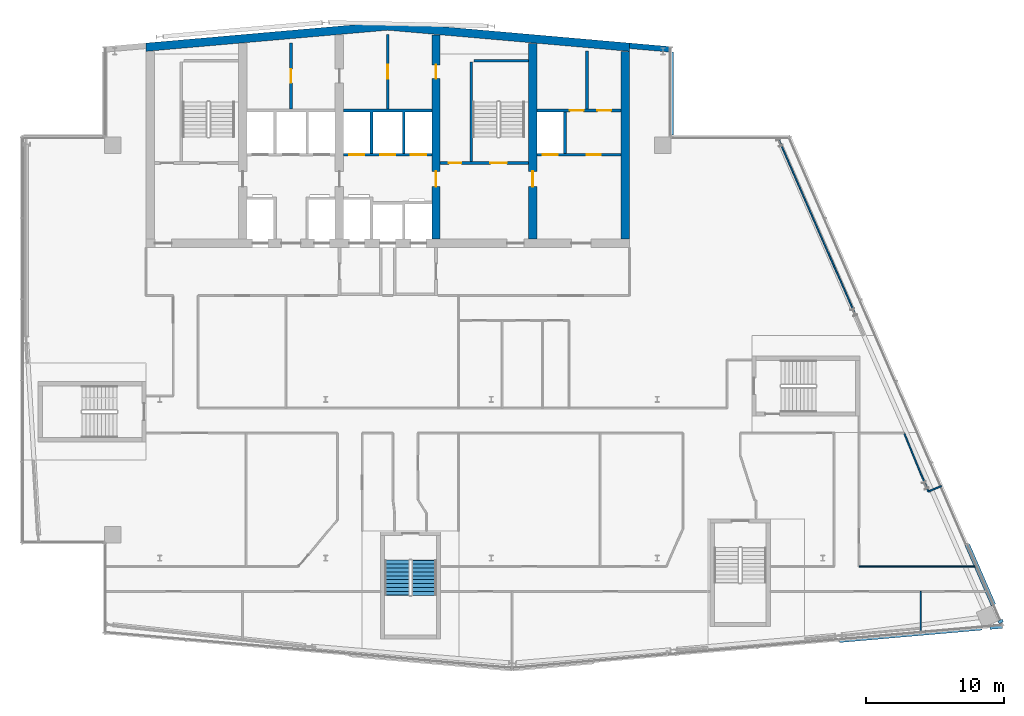
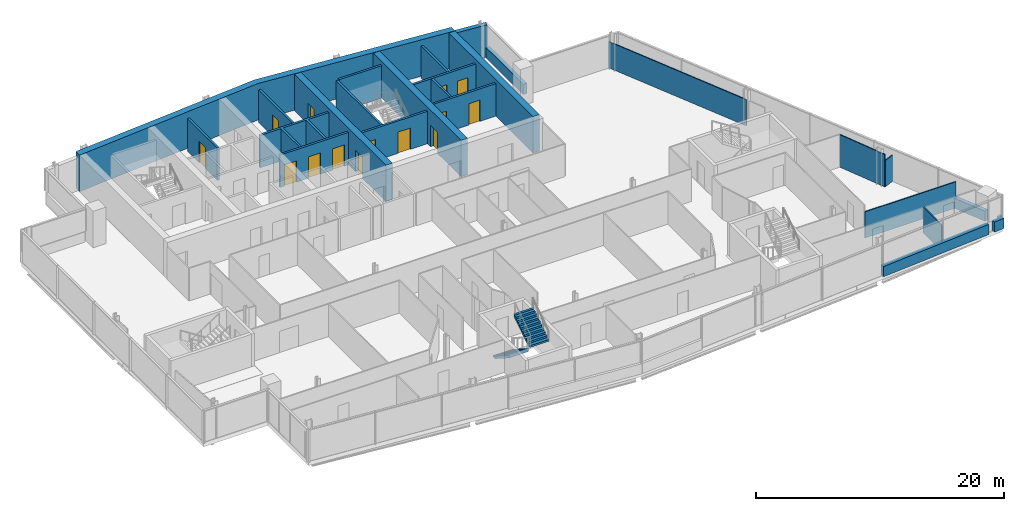
# One storey, part 18 of 22: 26 walls, 14 doors, 2 stair flights, 14 openings, 1 element without a shape of its own.
"""IFC4 building model written with IfcOpenShell, lengths in metres."""

from ifc_helpers import new_model, si_unit, direction, frame, frame_2d, origin, place, context, subcontext, project, spatial, polyline, rectangle, outline, extrude, material, layer, layer_set, type_object, element, fill, aggregate, save


model = new_model("IFC4")

# Units and contexts
model_context = context("Model", 3, precision=1e-05, world=origin(), true_north=direction((0.0, 1.0)))
body_context = subcontext(model_context, "Body", "Model", "MODEL_VIEW")
ifc_project = project(units=[si_unit("LENGTHUNIT", "METRE"), si_unit("AREAUNIT", "SQUARE_METRE"), si_unit("VOLUMEUNIT", "CUBIC_METRE"), si_unit("PLANEANGLEUNIT", "RADIAN"), si_unit("MASSUNIT", "GRAM", prefix="KILO")], contexts=[model_context])

# Site, building, storey
site_placement = place(None, origin())
site = spatial("IfcSite", under=ifc_project, at=site_placement, CompositionType="ELEMENT")
building_placement = place(site_placement, origin())
building = spatial("IfcBuilding", under=site, at=building_placement, Name="Wharfspan Tower", CompositionType="ELEMENT")
storey_placement = place(building_placement, frame((0.0, 0.0, 246.699951)))
storey = spatial("IfcBuildingStorey", under=building, at=storey_placement, Name="L62", CompositionType="ELEMENT", Elevation=246.699951)

# Walls
ifc_material_1 = material(Name="Gypsum board on steel studs", Category="steel")
ifc_layer_1 = layer(ifc_material_1, 0.100098)
ifc_layer_set_1 = layer_set([ifc_layer_1], Name="Gypsum board on steel studs")
wall_type_1 = type_object("IfcWallType", Name="Compartment wall 100 EI 60", PredefinedType="PARTITIONING", material=ifc_layer_set_1)
wall_1_placement = place(storey_placement, frame((74.620117, 10.89502, 0.0), z_axis=(0.0, 0.0, 1.0), x_axis=(1.0, 0.0, 0.0)))
element("IfcWall", 1, at=wall_1_placement, inside=storey, type_object=wall_type_1, Name="Partition L62.w062", PredefinedType="PARTITIONING", context=body_context, shape_type="SweptSolid", body=[
    extrude(rectangle(XDim=8.490723, YDim=0.100098, at=frame_2d((4.245361, 0.0))), origin(), (0.0, 0.0, 1.0), 2.580078),
])
wall_2_placement = place(storey_placement, frame((79.084961, 6.120117, 0.0), z_axis=(0.0, 0.0, 1.0), x_axis=(0.0, 1.0, 0.0)))
element("IfcWall", 2, at=wall_2_placement, inside=storey, type_object=wall_type_1, Name="Partition L62.w066", PredefinedType="PARTITIONING", context=body_context, shape_type="SweptSolid", body=[
    extrude(rectangle(XDim=2.974854, YDim=0.100098, at=frame_2d((1.487305, 0.0))), origin(), (0.0, 0.0, 1.0), 2.580078),
])
wall_3_placement = place(storey_placement, frame((79.629883, 16.314941, 0.0), z_axis=(0.0, 0.0, 1.0), x_axis=(-0.381517, 0.924359, 0.0)))
element("IfcWall", 3, at=wall_3_placement, inside=storey, type_object=wall_type_1, Name="Partition L62.w068", PredefinedType="PARTITIONING", context=body_context, shape_type="SweptSolid", body=[
    extrude(rectangle(XDim=4.586914, YDim=0.100098, at=frame_2d((2.293457, 0.0))), origin(), (0.0, 0.0, 1.0), 3.199951),
])

# Wall, opening, door
ifc_material_2 = material(Name="Calcium silicate masonry", Category="masonry")
ifc_layer_2 = layer(ifc_material_2, 0.199951)
ifc_layer_set_2 = layer_set([ifc_layer_2], Name="Calcium silicate masonry")
wall_type_2 = type_object("IfcWallType", Name="Core room wall 200", PredefinedType="PARTITIONING", material=ifc_layer_set_2)
wall_4_placement = place(storey_placement, frame((33.5, 44.0, 0.0), z_axis=(0.0, 0.0, 1.0), x_axis=(0.0, 1.0, 0.0)))
wall_4 = element("IfcWall", 4, at=wall_4_placement, inside=storey, type_object=wall_type_2, Name="sw:L62:RP3.1", PredefinedType="PARTITIONING", context=body_context, shape_type="SweptSolid", body=[
    extrude(rectangle(XDim=4.803711, YDim=0.199951, at=frame_2d((2.401855, 0.0))), origin(), (0.0, 0.0, 1.0), 3.199951),
])
opening_1_placement = place(wall_4_placement, frame((1.901855, 0.0, 0.0)))
opening_1 = element("IfcOpeningElement", 5, at=opening_1_placement, cuts=wall_4, Name="Opening CD62.3P1", PredefinedType="OPENING", context=body_context, shape_type="SweptSolid", body=[
    extrude(rectangle(XDim=1.0, YDim=2.100098, at=frame_2d((0.5, 1.050049))), frame((0.0, 0.109863, 0.0), z_axis=(0.0, -1.0, 0.0), x_axis=(1.0, 0.0, 0.0)), (0.0, 0.0, 1.0), 0.219971),
])
ifc_material_3 = material(Name="Steel door leaf", Category="steel")
door_type_1 = type_object("IfcDoorType", Name="Core room door 1000x2100", OperationType="SINGLE_SWING_LEFT", PredefinedType="DOOR", material=ifc_material_3)
door_1_placement = place(opening_1_placement, origin())
door_1 = element("IfcDoor", 6, at=door_1_placement, inside=storey, type_object=door_type_1, Name="d:L62:3:rp1", OperationType="SINGLE_SWING_LEFT", OverallHeight=2.100098, OverallWidth=1.0, PredefinedType="DOOR", context=body_context, shape_type="SweptSolid", body=[
    extrude(rectangle(XDim=1.0, YDim=2.100098, at=frame_2d((0.5, 1.050049))), frame((0.0, 0.024902, 0.0), z_axis=(0.0, -1.0, 0.0), x_axis=(1.0, 0.0, 0.0)), (0.0, 0.0, 1.0), 0.050049),
])
fill(opening_1, door_1)

wall_5_placement = place(storey_placement, frame((40.5, 44.0, 0.0), z_axis=(0.0, 0.0, 1.0), x_axis=(0.0, 1.0, 0.0)))
wall_5 = element("IfcWall", 7, at=wall_5_placement, inside=storey, type_object=wall_type_2, Name="sw:L62:RP4.1", PredefinedType="PARTITIONING", context=body_context, shape_type="SweptSolid", body=[
    extrude(rectangle(XDim=5.41626, YDim=0.199951, at=frame_2d((2.708008, 0.0))), origin(), (0.0, 0.0, 1.0), 3.199951),
])
opening_2_placement = place(wall_5_placement, frame((2.208008, 0.0, 0.0)))
opening_2 = element("IfcOpeningElement", 8, at=opening_2_placement, cuts=wall_5, Name="Opening CD62.4P1", PredefinedType="OPENING", context=body_context, shape_type="SweptSolid", body=[
    extrude(rectangle(XDim=1.0, YDim=2.100098, at=frame_2d((0.5, 1.050049))), frame((0.0, 0.109863, 0.0), z_axis=(0.0, -1.0, 0.0), x_axis=(1.0, 0.0, 0.0)), (0.0, 0.0, 1.0), 0.219971),
])
door_2_placement = place(opening_2_placement, origin())
door_2 = element("IfcDoor", 9, at=door_2_placement, inside=storey, type_object=door_type_1, Name="d:L62:4:rp1", OperationType="SINGLE_SWING_LEFT", OverallHeight=2.100098, OverallWidth=1.0, PredefinedType="DOOR", context=body_context, shape_type="SweptSolid", body=[
    extrude(rectangle(XDim=1.0, YDim=2.100098, at=frame_2d((0.5, 1.050049))), frame((0.0, 0.024902, 0.0), z_axis=(0.0, -1.0, 0.0), x_axis=(1.0, 0.0, 0.0)), (0.0, 0.0, 1.0), 0.050049),
])
fill(opening_2, door_2)

# Walls
wall_6_placement = place(storey_placement, frame((54.93335, 44.0, 0.0), z_axis=(0.0, 0.0, 1.0), x_axis=(0.0, 1.0, 0.0)))
element("IfcWall", 10, at=wall_6_placement, inside=storey, type_object=wall_type_2, Name="sw:L62:RP6.1", PredefinedType="PARTITIONING", context=body_context, shape_type="SweptSolid", body=[
    extrude(rectangle(XDim=4.217529, YDim=0.199951, at=frame_2d((2.108887, 0.0))), origin(), (0.0, 0.0, 1.0), 3.199951),
])
ifc_material_4 = material(Name="Concrete C50/60", Category="concrete")
ifc_layer_3 = layer(ifc_material_4, 0.600098)
ifc_layer_set_3 = layer_set([ifc_layer_3], Name="Concrete C50/60")
wall_type_3 = type_object("IfcWallType", Name="Core wall 600 C50/60", PredefinedType="SHEAR", material=ifc_layer_set_3)
wall_7_placement = place(storey_placement, origin())
element("IfcWall", 11, at=wall_7_placement, inside=storey, type_object=wall_type_3, Name="Core rear wall L62", PredefinedType="SHEAR", context=body_context, shape_type="SweptSolid", body=[
    extrude(outline(polyline([(23.0, 48.185059), (40.5, 49.716064), (58.0, 48.185059), (58.0, 48.787354), (40.5, 50.318359), (23.0, 48.787354), (23.0, 48.185059)])), origin(), (0.0, 0.0, 1.0), 3.600098),
])

# Wall, openings, doors
wall_8_placement = place(storey_placement, frame((44.0, 34.600098, 0.0), z_axis=(0.0, 0.0, 1.0), x_axis=(0.0, 1.0, 0.0)))
wall_8 = element("IfcWall", 12, at=wall_8_placement, inside=storey, type_object=wall_type_3, Name="Core cross wall X5 L62", PredefinedType="SHEAR", context=body_context, shape_type="SweptSolid", body=[
    extrude(rectangle(XDim=14.783691, YDim=0.600098, at=frame_2d((7.391846, 0.0))), origin(), (0.0, 0.0, 1.0), 3.600098),
])
opening_3_placement = place(wall_8_placement, frame((11.608154, 0.0, 0.0)))
opening_3 = element("IfcOpeningElement", 13, at=opening_3_placement, cuts=wall_8, Name="Opening CD62.4X", PredefinedType="OPENING", context=body_context, shape_type="SweptSolid", body=[
    extrude(rectangle(XDim=1.0, YDim=2.100098, at=frame_2d((0.5, 1.050049))), frame((0.0, 0.310059, 0.0), z_axis=(0.0, -1.0, 0.0), x_axis=(1.0, 0.0, 0.0)), (0.0, 0.0, 1.0), 0.620117),
])
opening_4_placement = place(wall_8_placement, frame((3.800049, 0.0, 0.0)))
opening_4 = element("IfcOpeningElement", 14, at=opening_4_placement, cuts=wall_8, Name="Opening CC62.5", PredefinedType="OPENING", context=body_context, shape_type="SweptSolid", body=[
    extrude(rectangle(XDim=1.100098, YDim=2.100098, at=frame_2d((0.550049, 1.050049))), frame((0.0, 0.310059, 0.0), z_axis=(0.0, -1.0, 0.0), x_axis=(1.0, 0.0, 0.0)), (0.0, 0.0, 1.0), 0.620117),
])
door_type_2 = type_object("IfcDoorType", Name="Core corridor door 1100x2100", OperationType="SINGLE_SWING_LEFT", PredefinedType="DOOR", material=ifc_material_3)
door_3_placement = place(opening_4_placement, origin())
door_3 = element("IfcDoor", 15, at=door_3_placement, inside=storey, type_object=door_type_2, Name="xd:L62:5", OperationType="SINGLE_SWING_LEFT", OverallHeight=2.100098, OverallWidth=1.100098, PredefinedType="DOOR", context=body_context, shape_type="SweptSolid", body=[
    extrude(rectangle(XDim=1.100098, YDim=2.100098, at=frame_2d((0.550049, 1.050049))), frame((0.0, 0.024902, 0.0), z_axis=(0.0, -1.0, 0.0), x_axis=(1.0, 0.0, 0.0)), (0.0, 0.0, 1.0), 0.050049),
])
fill(opening_4, door_3)
door_4_placement = place(opening_3_placement, origin())
door_4 = element("IfcDoor", 16, at=door_4_placement, inside=storey, type_object=door_type_1, Name="d:L62:4:sx", OperationType="SINGLE_SWING_LEFT", OverallHeight=2.100098, OverallWidth=1.0, PredefinedType="DOOR", context=body_context, shape_type="SweptSolid", body=[
    extrude(rectangle(XDim=1.0, YDim=2.100098, at=frame_2d((0.5, 1.050049))), frame((0.0, 0.024902, 0.0), z_axis=(0.0, -1.0, 0.0), x_axis=(1.0, 0.0, 0.0)), (0.0, 0.0, 1.0), 0.050049),
])
fill(opening_3, door_4)

# Wall, opening, door
wall_9_placement = place(storey_placement, frame((51.0, 34.600098, 0.0), z_axis=(0.0, 0.0, 1.0), x_axis=(0.0, 1.0, 0.0)))
wall_9 = element("IfcWall", 17, at=wall_9_placement, inside=storey, type_object=wall_type_3, Name="Core cross wall X6 L62", PredefinedType="SHEAR", context=body_context, shape_type="SweptSolid", body=[
    extrude(rectangle(XDim=14.171143, YDim=0.600098, at=frame_2d((7.085449, 0.0))), origin(), (0.0, 0.0, 1.0), 3.600098),
])
opening_5_placement = place(wall_9_placement, frame((3.800049, 0.0, 0.0)))
opening_5 = element("IfcOpeningElement", 18, at=opening_5_placement, cuts=wall_9, Name="Opening CC62.6", PredefinedType="OPENING", context=body_context, shape_type="SweptSolid", body=[
    extrude(rectangle(XDim=1.100098, YDim=2.100098, at=frame_2d((0.550049, 1.050049))), frame((0.0, 0.310059, 0.0), z_axis=(0.0, -1.0, 0.0), x_axis=(1.0, 0.0, 0.0)), (0.0, 0.0, 1.0), 0.620117),
])
door_5_placement = place(opening_5_placement, origin())
door_5 = element("IfcDoor", 19, at=door_5_placement, inside=storey, type_object=door_type_2, Name="xd:L62:6", OperationType="SINGLE_SWING_RIGHT", OverallHeight=2.100098, OverallWidth=1.100098, PredefinedType="DOOR", context=body_context, shape_type="SweptSolid", body=[
    extrude(rectangle(XDim=1.100098, YDim=2.100098, at=frame_2d((0.550049, 1.050049))), frame((0.0, 0.024902, 0.0), z_axis=(0.0, -1.0, 0.0), x_axis=(1.0, 0.0, 0.0)), (0.0, 0.0, 1.0), 0.050049),
])
fill(opening_5, door_5)

# Wall
wall_10_placement = place(storey_placement, frame((57.699951, 34.600098, 0.0), z_axis=(0.0, 0.0, 1.0), x_axis=(0.0, 1.0, 0.0)))
element("IfcWall", 20, at=wall_10_placement, inside=storey, type_object=wall_type_3, Name="Core cross wall EW1 L62", PredefinedType="SHEAR", context=body_context, shape_type="SweptSolid", body=[
    extrude(rectangle(XDim=13.584961, YDim=0.600098, at=frame_2d((6.79248, 0.0))), origin(), (0.0, 0.0, 1.0), 3.600098),
])

# Wall, openings, doors
ifc_material_5 = material(Name="Concrete C30/37", Category="concrete")
ifc_layer_4 = layer(ifc_material_5, 0.199951)
ifc_layer_set_4 = layer_set([ifc_layer_4], Name="Concrete C30/37")
wall_type_4 = type_object("IfcWallType", Name="Lift shaft wall 200", PredefinedType="PARTITIONING", material=ifc_layer_set_4)
wall_11_placement = place(storey_placement, frame((37.300049, 40.699951, 0.0), z_axis=(0.0, 0.0, 1.0), x_axis=(1.0, 0.0, 0.0)))
wall_11 = element("IfcWall", 21, at=wall_11_placement, inside=storey, type_object=wall_type_4, Name="sw:L62:RF4", PredefinedType="PARTITIONING", context=body_context, shape_type="SweptSolid", body=[
    extrude(rectangle(XDim=6.399902, YDim=0.199951, at=frame_2d((3.199951, 0.0))), origin(), (0.0, 0.0, 1.0), 3.199951),
])
opening_6_placement = place(wall_11_placement, frame((0.416748, 0.0, 0.0)))
opening_6 = element("IfcOpeningElement", 22, at=opening_6_placement, cuts=wall_11, Name="Opening LD.LB4.L62", PredefinedType="OPENING", context=body_context, shape_type="SweptSolid", body=[
    extrude(rectangle(XDim=1.100098, YDim=2.100098, at=frame_2d((0.550049, 1.050049))), frame((0.0, 0.109863, 0.0), z_axis=(0.0, -1.0, 0.0), x_axis=(1.0, 0.0, 0.0)), (0.0, 0.0, 1.0), 0.219971),
])
opening_7_placement = place(wall_11_placement, frame((2.649902, 0.0, 0.0)))
opening_7 = element("IfcOpeningElement", 23, at=opening_7_placement, cuts=wall_11, Name="Opening LD.LB5.L62", PredefinedType="OPENING", context=body_context, shape_type="SweptSolid", body=[
    extrude(rectangle(XDim=1.100098, YDim=2.100098, at=frame_2d((0.550049, 1.050049))), frame((0.0, 0.109863, 0.0), z_axis=(0.0, -1.0, 0.0), x_axis=(1.0, 0.0, 0.0)), (0.0, 0.0, 1.0), 0.219971),
])
opening_8_placement = place(wall_11_placement, frame((4.883301, 0.0, 0.0)))
opening_8 = element("IfcOpeningElement", 24, at=opening_8_placement, cuts=wall_11, Name="Opening LD.LB6.L62", PredefinedType="OPENING", context=body_context, shape_type="SweptSolid", body=[
    extrude(rectangle(XDim=1.100098, YDim=2.100098, at=frame_2d((0.550049, 1.050049))), frame((0.0, 0.109863, 0.0), z_axis=(0.0, -1.0, 0.0), x_axis=(1.0, 0.0, 0.0)), (0.0, 0.0, 1.0), 0.219971),
])
ifc_material_6 = material(Name="Stainless steel", Category="steel")
door_type_3 = type_object("IfcDoorType", Name="Lift landing door 1100x2100", OperationType="DOUBLE_DOOR_SLIDING", PredefinedType="DOOR", material=ifc_material_6)
door_6_placement = place(opening_6_placement, origin())
door_6 = element("IfcDoor", 25, at=door_6_placement, inside=storey, type_object=door_type_3, Name="Landing door LB4 L62", OperationType="DOUBLE_DOOR_SLIDING", OverallHeight=2.100098, OverallWidth=1.100098, PredefinedType="DOOR", context=body_context, shape_type="SweptSolid", body=[
    extrude(rectangle(XDim=1.100098, YDim=2.100098, at=frame_2d((0.550049, 1.050049))), frame((0.0, 0.024902, 0.0), z_axis=(0.0, -1.0, 0.0), x_axis=(1.0, 0.0, 0.0)), (0.0, 0.0, 1.0), 0.050049),
])
fill(opening_6, door_6)
door_7_placement = place(opening_7_placement, origin())
door_7 = element("IfcDoor", 26, at=door_7_placement, inside=storey, type_object=door_type_3, Name="Landing door LB5 L62", OperationType="DOUBLE_DOOR_SLIDING", OverallHeight=2.100098, OverallWidth=1.100098, PredefinedType="DOOR", context=body_context, shape_type="SweptSolid", body=[
    extrude(rectangle(XDim=1.100098, YDim=2.100098, at=frame_2d((0.550049, 1.050049))), frame((0.0, 0.024902, 0.0), z_axis=(0.0, -1.0, 0.0), x_axis=(1.0, 0.0, 0.0)), (0.0, 0.0, 1.0), 0.050049),
])
fill(opening_7, door_7)
door_8_placement = place(opening_8_placement, origin())
door_8 = element("IfcDoor", 27, at=door_8_placement, inside=storey, type_object=door_type_3, Name="Landing door LB6 L62", OperationType="DOUBLE_DOOR_SLIDING", OverallHeight=2.100098, OverallWidth=1.100098, PredefinedType="DOOR", context=body_context, shape_type="SweptSolid", body=[
    extrude(rectangle(XDim=1.100098, YDim=2.100098, at=frame_2d((0.550049, 1.050049))), frame((0.0, 0.024902, 0.0), z_axis=(0.0, -1.0, 0.0), x_axis=(1.0, 0.0, 0.0)), (0.0, 0.0, 1.0), 0.050049),
])
fill(opening_8, door_8)

# Wall
wall_12_placement = place(storey_placement, frame((0.0, 0.0, -0.000244)))
element("IfcWall", 28, at=wall_12_placement, inside=storey, type_object=wall_type_4, Name="sw:L62:RM4.0", PredefinedType="PARTITIONING", context=body_context, shape_type="SweptSolid", body=[
    extrude(outline(polyline([(39.43335, 40.800049), (39.233398, 40.800049), (39.233398, 43.800049), (37.300049, 43.800049), (37.300049, 44.0), (43.699951, 44.0), (43.699951, 43.800049), (41.766602, 43.800049), (41.766602, 40.800049), (41.56665, 40.800049), (41.56665, 43.800049), (39.43335, 43.800049), (39.43335, 40.800049)])), origin(), (0.0, 0.0, 1.0), 3.200195),
])

# Wall, openings, doors
wall_13_placement = place(storey_placement, frame((51.300049, 40.699951, 0.0), z_axis=(0.0, 0.0, 1.0), x_axis=(1.0, 0.0, 0.0)))
wall_13 = element("IfcWall", 29, at=wall_13_placement, inside=storey, type_object=wall_type_4, Name="sw:L62:RF6", PredefinedType="PARTITIONING", context=body_context, shape_type="SweptSolid", body=[
    extrude(rectangle(XDim=6.099854, YDim=0.199951, at=frame_2d((3.049805, 0.0))), origin(), (0.0, 0.0, 1.0), 3.199951),
])
opening_9_placement = place(wall_13_placement, frame((0.416748, 0.0, 0.0)))
opening_9 = element("IfcOpeningElement", 30, at=opening_9_placement, cuts=wall_13, Name="Opening LD.LB8.L62", PredefinedType="OPENING", context=body_context, shape_type="SweptSolid", body=[
    extrude(rectangle(XDim=1.100098, YDim=2.100098, at=frame_2d((0.550049, 1.050049))), frame((0.0, 0.109863, 0.0), z_axis=(0.0, -1.0, 0.0), x_axis=(1.0, 0.0, 0.0)), (0.0, 0.0, 1.0), 0.219971),
])
opening_10_placement = place(wall_13_placement, frame((3.616699, 0.0, 0.0)))
opening_10 = element("IfcOpeningElement", 31, at=opening_10_placement, cuts=wall_13, Name="Opening CD62.6R2", PredefinedType="OPENING", context=body_context, shape_type="SweptSolid", body=[
    extrude(rectangle(XDim=1.0, YDim=2.100098, at=frame_2d((0.5, 1.050049))), frame((0.0, 0.109863, 0.0), z_axis=(0.0, -1.0, 0.0), x_axis=(1.0, 0.0, 0.0)), (0.0, 0.0, 1.0), 0.219971),
])
door_9_placement = place(opening_10_placement, origin())
door_9 = element("IfcDoor", 32, at=door_9_placement, inside=storey, type_object=door_type_1, Name="d:L62:6:rd6.2", OperationType="SINGLE_SWING_RIGHT", OverallHeight=2.100098, OverallWidth=1.0, PredefinedType="DOOR", context=body_context, shape_type="SweptSolid", body=[
    extrude(rectangle(XDim=1.0, YDim=2.100098, at=frame_2d((0.5, 1.050049))), frame((0.0, 0.024902, 0.0), z_axis=(0.0, -1.0, 0.0), x_axis=(1.0, 0.0, 0.0)), (0.0, 0.0, 1.0), 0.050049),
])
fill(opening_10, door_9)
door_10_placement = place(opening_9_placement, origin())
door_10 = element("IfcDoor", 33, at=door_10_placement, inside=storey, type_object=door_type_3, Name="Landing door LB8 L62", OperationType="DOUBLE_DOOR_SLIDING", OverallHeight=2.100098, OverallWidth=1.100098, PredefinedType="DOOR", context=body_context, shape_type="SweptSolid", body=[
    extrude(rectangle(XDim=1.100098, YDim=2.100098, at=frame_2d((0.550049, 1.050049))), frame((0.0, 0.024902, 0.0), z_axis=(0.0, -1.0, 0.0), x_axis=(1.0, 0.0, 0.0)), (0.0, 0.0, 1.0), 0.050049),
])
fill(opening_9, door_10)

wall_14_placement = place(storey_placement, frame((51.300049, 43.899902, 0.0), z_axis=(0.0, 0.0, 1.0), x_axis=(1.0, 0.0, 0.0)))
wall_14 = element("IfcWall", 34, at=wall_14_placement, inside=storey, type_object=wall_type_4, Name="sw:L62:RR6", PredefinedType="PARTITIONING", context=body_context, shape_type="SweptSolid", body=[
    extrude(rectangle(XDim=6.099854, YDim=0.199951, at=frame_2d((3.049805, 0.0))), origin(), (0.0, 0.0, 1.0), 3.199951),
])
opening_11_placement = place(wall_14_placement, frame((2.383301, 0.0, 0.0)))
opening_11 = element("IfcOpeningElement", 35, at=opening_11_placement, cuts=wall_14, Name="Opening CD62.6S2", PredefinedType="OPENING", context=body_context, shape_type="SweptSolid", body=[
    extrude(rectangle(XDim=1.0, YDim=2.100098, at=frame_2d((0.5, 1.050049))), frame((0.0, 0.109863, 0.0), z_axis=(0.0, -1.0, 0.0), x_axis=(1.0, 0.0, 0.0)), (0.0, 0.0, 1.0), 0.219971),
])
opening_12_placement = place(wall_14_placement, frame((4.366699, 0.0, 0.0)))
opening_12 = element("IfcOpeningElement", 36, at=opening_12_placement, cuts=wall_14, Name="Opening CD62.6S2a", PredefinedType="OPENING", context=body_context, shape_type="SweptSolid", body=[
    extrude(rectangle(XDim=1.0, YDim=2.100098, at=frame_2d((0.5, 1.050049))), frame((0.0, 0.109863, 0.0), z_axis=(0.0, -1.0, 0.0), x_axis=(1.0, 0.0, 0.0)), (0.0, 0.0, 1.0), 0.219971),
])
door_11_placement = place(opening_11_placement, origin())
door_11 = element("IfcDoor", 37, at=door_11_placement, inside=storey, type_object=door_type_1, Name="d:L62:6:rs6.2", OperationType="SINGLE_SWING_LEFT", OverallHeight=2.100098, OverallWidth=1.0, PredefinedType="DOOR", context=body_context, shape_type="SweptSolid", body=[
    extrude(rectangle(XDim=1.0, YDim=2.100098, at=frame_2d((0.5, 1.050049))), frame((0.0, 0.024902, 0.0), z_axis=(0.0, -1.0, 0.0), x_axis=(1.0, 0.0, 0.0)), (0.0, 0.0, 1.0), 0.050049),
])
fill(opening_11, door_11)
door_12_placement = place(opening_12_placement, origin())
door_12 = element("IfcDoor", 38, at=door_12_placement, inside=storey, type_object=door_type_1, Name="d:L62:6:rs6.2a", OperationType="SINGLE_SWING_LEFT", OverallHeight=2.100098, OverallWidth=1.0, PredefinedType="DOOR", context=body_context, shape_type="SweptSolid", body=[
    extrude(rectangle(XDim=1.0, YDim=2.100098, at=frame_2d((0.5, 1.050049))), frame((0.0, 0.024902, 0.0), z_axis=(0.0, -1.0, 0.0), x_axis=(1.0, 0.0, 0.0)), (0.0, 0.0, 1.0), 0.050049),
])
fill(opening_12, door_12)

# Walls
wall_15_placement = place(storey_placement, frame((0.0, 0.0, -0.000244)))
element("IfcWall", 39, at=wall_15_placement, inside=storey, type_object=wall_type_4, Name="sw:L62:RM6.0", PredefinedType="PARTITIONING", context=body_context, shape_type="SweptSolid", body=[
    extrude(outline(polyline([(53.43335, 40.800049), (53.43335, 43.800049), (53.233398, 43.800049), (53.233398, 40.800049), (53.43335, 40.800049)])), origin(), (0.0, 0.0, 1.0), 3.200195),
])
ifc_layer_5 = layer(ifc_material_1, 0.100098)
ifc_layer_set_5 = layer_set([ifc_layer_5], Name="Gypsum board on steel studs")
wall_type_5 = type_object("IfcWallType", Name="Partition 100", PredefinedType="PARTITIONING", material=ifc_layer_set_5)
wall_16_placement = place(storey_placement, frame((74.264893, 29.310059, 0.0), z_axis=(0.0, 0.0, 1.0), x_axis=(-0.400709, 0.916209, 0.0)))
element("IfcWall", 40, at=wall_16_placement, inside=storey, type_object=wall_type_5, Name="Partition L62.w060", PredefinedType="PARTITIONING", context=body_context, shape_type="SweptSolid", body=[
    extrude(rectangle(XDim=13.828613, YDim=0.100098, at=frame_2d((6.914307, 0.0))), origin(), (0.0, 0.0, 1.0), 2.580078),
])
wall_17_placement = place(storey_placement, frame((79.629883, 16.314941, 0.0), z_axis=(0.0, 0.0, 1.0), x_axis=(0.918616, 0.395147, 0.0)))
element("IfcWall", 41, at=wall_17_placement, inside=storey, type_object=wall_type_5, Name="Partition L62.w067", PredefinedType="PARTITIONING", context=body_context, shape_type="SweptSolid", body=[
    extrude(rectangle(XDim=1.03125, YDim=0.100098, at=frame_2d((0.515625, 0.0))), origin(), (0.0, 0.0, 1.0), 2.580078),
])
ifc_material_7 = material(Name="Concrete C40/50", Category="concrete")
ifc_layer_6 = layer(ifc_material_7, 0.350098)
ifc_layer_set_6 = layer_set([ifc_layer_6], Name="Concrete C40/50")
wall_type_6 = type_object("IfcWallType", Name="SPANDREL EXPOSED CONCRETE 350", PredefinedType="SOLIDWALL", material=ifc_layer_set_6)
wall_18_placement = place(storey_placement, frame((73.197021, 5.562256, 0.0), z_axis=(0.0, 0.0, 1.0), x_axis=(0.996198, 0.087163, 0.0)))
element("IfcWall", 42, at=wall_18_placement, inside=storey, type_object=wall_type_6, Name="Spandrel upstand L62 S2 2", PredefinedType="SOLIDWALL", context=body_context, shape_type="SweptSolid", body=[
    extrude(rectangle(XDim=10.35791, YDim=0.350098, at=frame_2d((5.178955, 0.0))), origin(), (0.0, 0.0, 1.0), 1.0),
])
wall_19_placement = place(storey_placement, frame((84.077637, 6.514404, 0.0), z_axis=(0.0, 0.0, 1.0), x_axis=(0.996213, 0.086971, 0.0)))
element("IfcWall", 43, at=wall_19_placement, inside=storey, type_object=wall_type_6, Name="Spandrel upstand L62 S2 3", PredefinedType="SOLIDWALL", context=body_context, shape_type="SweptSolid", body=[
    extrude(rectangle(XDim=0.92627, YDim=0.350098, at=frame_2d((0.463135, 0.0))), origin(), (0.0, 0.0, 1.0), 1.0),
])
wall_20_placement = place(storey_placement, frame((84.9104, 6.818604, 0.0), z_axis=(0.0, 0.0, 1.0), x_axis=(-0.398359, 0.91723, 0.0)))
element("IfcWall", 44, at=wall_20_placement, inside=storey, type_object=wall_type_6, Name="Spandrel upstand L62 E", PredefinedType="SOLIDWALL", context=body_context, shape_type="SweptSolid", body=[
    extrude(rectangle(XDim=0.21875, YDim=0.350098, at=frame_2d((0.109375, 0.0))), origin(), (0.0, 0.0, 1.0), 1.0),
])
wall_21_placement = place(storey_placement, frame((84.344727, 8.119873, 0.0), z_axis=(0.0, 0.0, 1.0), x_axis=(-0.398736, 0.917067, 0.0)))
element("IfcWall", 45, at=wall_21_placement, inside=storey, type_object=wall_type_6, Name="Spandrel upstand L62 E 2", PredefinedType="SOLIDWALL", context=body_context, shape_type="SweptSolid", body=[
    extrude(rectangle(XDim=4.748291, YDim=0.350098, at=frame_2d((2.374023, 0.0))), origin(), (0.0, 0.0, 1.0), 1.0),
])
wall_22_placement = place(storey_placement, frame((61.004883, 42.120117, 0.0), z_axis=(0.0, 0.0, 1.0), x_axis=(0.0, 1.0, 0.0)))
element("IfcWall", 46, at=wall_22_placement, inside=storey, type_object=wall_type_6, Name="Spandrel upstand L62 NRE-V", PredefinedType="SOLIDWALL", context=body_context, shape_type="SweptSolid", body=[
    extrude(rectangle(XDim=6.006348, YDim=0.350098, at=frame_2d((3.003174, 0.0))), origin(), (0.0, 0.0, 1.0), 1.0),
])

# Wall, openings, doors
ifc_layer_7 = layer(ifc_material_7, 0.199951)
ifc_layer_set_7 = layer_set([ifc_layer_7], Name="Concrete C40/50")
wall_type_7 = type_object("IfcWallType", Name="Stair shaft wall 200", PredefinedType="SHEAR", material=ifc_layer_set_7)
wall_23_placement = place(storey_placement, frame((44.300049, 40.100098, 0.0), z_axis=(0.0, 0.0, 1.0), x_axis=(1.0, 0.0, 0.0)))
wall_23 = element("IfcWall", 47, at=wall_23_placement, inside=storey, type_object=wall_type_7, Name="ST2 stair enclosure wall L62", PredefinedType="SHEAR", context=body_context, shape_type="SweptSolid", body=[
    extrude(rectangle(XDim=6.399902, YDim=0.199951, at=frame_2d((3.199951, 0.0))), origin(), (0.0, 0.0, 1.0), 3.199951),
])
opening_13_placement = place(wall_23_placement, frame((3.625, 0.0, 0.0)))
opening_13 = element("IfcOpeningElement", 48, at=opening_13_placement, cuts=wall_23, Name="Opening SD5.L62", PredefinedType="OPENING", context=body_context, shape_type="SweptSolid", body=[
    extrude(rectangle(XDim=1.199951, YDim=2.100098, at=frame_2d((0.600098, 1.050049))), frame((0.0, 0.109863, 0.0), z_axis=(0.0, -1.0, 0.0), x_axis=(1.0, 0.0, 0.0)), (0.0, 0.0, 1.0), 0.219971),
])
opening_14_placement = place(wall_23_placement, frame((0.625, 0.0, 0.0)))
opening_14 = element("IfcOpeningElement", 49, at=opening_14_placement, cuts=wall_23, Name="Opening CD62.5R", PredefinedType="OPENING", context=body_context, shape_type="SweptSolid", body=[
    extrude(rectangle(XDim=0.899902, YDim=2.100098, at=frame_2d((0.449951, 1.050049))), frame((0.0, 0.109863, 0.0), z_axis=(0.0, -1.0, 0.0), x_axis=(1.0, 0.0, 0.0)), (0.0, 0.0, 1.0), 0.219971),
])
door_13_placement = place(opening_14_placement, origin())
door_13 = element("IfcDoor", 50, at=door_13_placement, inside=storey, type_object=door_type_1, Name="rk:L62:5", OperationType="SINGLE_SWING_LEFT", OverallHeight=2.100098, OverallWidth=0.899902, PredefinedType="DOOR", context=body_context, shape_type="SweptSolid", body=[
    extrude(rectangle(XDim=0.899902, YDim=2.100098, at=frame_2d((0.449951, 1.050049))), frame((0.0, 0.024902, 0.0), z_axis=(0.0, -1.0, 0.0), x_axis=(1.0, 0.0, 0.0)), (0.0, 0.0, 1.0), 0.050049),
])
fill(opening_14, door_13)
door_type_4 = type_object("IfcDoorType", Name="Stair door 1200x2100", OperationType="SINGLE_SWING_LEFT", PredefinedType="DOOR", material=ifc_material_3)
door_14_placement = place(opening_13_placement, origin())
door_14 = element("IfcDoor", 51, at=door_14_placement, inside=storey, type_object=door_type_4, Name="sd:L62:5", OperationType="SINGLE_SWING_RIGHT", OverallHeight=2.100098, OverallWidth=1.199951, PredefinedType="DOOR", context=body_context, shape_type="SweptSolid", body=[
    extrude(rectangle(XDim=1.199951, YDim=2.100098, at=frame_2d((0.600098, 1.050049))), frame((0.0, 0.024902, 0.0), z_axis=(0.0, -1.0, 0.0), x_axis=(1.0, 0.0, 0.0)), (0.0, 0.0, 1.0), 0.050049),
])
fill(opening_13, door_14)

# Walls
wall_24_placement = place(storey_placement, frame((46.550049, 40.199951, 0.0), z_axis=(0.0, 0.0, 1.0), x_axis=(0.0, 1.0, 0.0)))
element("IfcWall", 52, at=wall_24_placement, inside=storey, type_object=wall_type_7, Name="ST2 stair enclosure wall L62", PredefinedType="SHEAR", context=body_context, shape_type="SweptSolid", body=[
    extrude(rectangle(XDim=7.199951, YDim=0.199951, at=frame_2d((3.600098, 0.0))), origin(), (0.0, 0.0, 1.0), 3.199951),
])
wall_25_placement = place(storey_placement, frame((46.75, 47.5, 0.0), z_axis=(0.0, 0.0, 1.0), x_axis=(1.0, 0.0, 0.0)))
element("IfcWall", 53, at=wall_25_placement, inside=storey, type_object=wall_type_7, Name="ST2 stair enclosure wall L62", PredefinedType="SHEAR", context=body_context, shape_type="SweptSolid", body=[
    extrude(rectangle(XDim=3.949951, YDim=0.199951, at=frame_2d((1.975098, 0.0))), origin(), (0.0, 0.0, 1.0), 3.199951),
])
ifc_layer_8 = layer(ifc_material_7, 0.399902)
ifc_layer_set_8 = layer_set([ifc_layer_8], Name="Concrete C40/50")
wall_type_8 = type_object("IfcWallType", Name="WALL EXPOSED CONCRETE 400", PredefinedType="SOLIDWALL", material=ifc_layer_set_8)
wall_26_placement = place(storey_placement, frame((60.982666, 48.325684, 0.0), z_axis=(0.0, 0.0, 1.0), x_axis=(-0.996194, 0.087168, 0.0)))
element("IfcWall", 54, at=wall_26_placement, inside=storey, type_object=wall_type_8, Name="Rear wall N2", PredefinedType="SOLIDWALL", context=body_context, shape_type="SweptSolid", body=[
    extrude(rectangle(XDim=2.994141, YDim=0.399902, at=frame_2d((1.49707, 0.0))), origin(), (0.0, 0.0, 1.0), 3.199951),
])

# Stair, stair flights
stair_type = type_object("IfcStairType", Name="Half-turn stair 20 risers 180 mm", PredefinedType="HALF_TURN_STAIR", material=ifc_material_7)
stair_placement = place(storey_placement, origin())
stair = element("IfcStair", 55, at=stair_placement, inside=storey, type_object=stair_type, Name="L62 stair ST4", PredefinedType="HALF_TURN_STAIR")
stair_flight_type = type_object("IfcStairFlightType", Name="Stair flight 20 risers 180 mm", PredefinedType="STRAIGHT", material=ifc_material_7)
stair_flight_1_placement = place(storey_placement, frame((41.177002, 11.343262, 0.0), z_axis=(0.0, 0.0, 1.0), x_axis=(0.0, -1.0, 0.0)))
stair_flight_1 = element("IfcStairFlight", 56, at=stair_flight_1_placement, type_object=stair_flight_type, Name="ST4 flight 1", NumberOfRisers=10, NumberOfTreads=9, PredefinedType="STRAIGHT", RiserHeight=0.18, TreadLength=0.28, context=body_context, shape_type="SweptSolid", body=[
    extrude(outline(polyline([(-0.011963, 0.0), (-0.011963, 0.179932), (0.0, 0.179932), (0.280029, 0.179932), (0.280029, 0.360107), (0.560059, 0.360107), (0.560059, 0.540039), (0.840088, 0.540039), (0.840088, 0.719971), (1.120117, 0.719971), (1.120117, 0.899902), (1.399902, 0.899902), (1.399902, 1.080078), (1.679932, 1.080078), (1.679932, 1.26001), (1.959961, 1.26001), (1.959961, 1.439941), (2.23999, 1.439941), (2.23999, 1.620117), (2.52002, 1.620117), (2.531982, 1.800049), (2.531982, 1.441895), (0.2771, 0.0), (-0.011963, 0.0)])), frame((0.0, 0.899902, 0.0), z_axis=(0.0, -1.0, 0.0), x_axis=(1.0, 0.0, 0.0)), (0.0, 0.0, 1.0), 0.899414),
    extrude(outline(polyline([(-0.011963, 0.0), (-0.011963, 0.179932), (0.0, 0.179932), (0.280029, 0.179932), (0.280029, 0.360107), (0.560059, 0.360107), (0.560059, 0.540039), (0.840088, 0.540039), (0.840088, 0.719971), (1.120117, 0.719971), (1.120117, 0.899902), (1.399902, 0.899902), (1.399902, 1.080078), (1.679932, 1.080078), (1.679932, 1.26001), (1.959961, 1.26001), (1.959961, 1.439941), (2.23999, 1.439941), (2.23999, 1.620117), (2.52002, 1.620117), (2.531982, 1.800049), (2.531982, 1.441895), (0.2771, 0.0), (-0.011963, 0.0)])), frame((0.0, -0.000488, 0.0), z_axis=(0.0, -1.0, 0.0), x_axis=(1.0, 0.0, 0.0)), (0.0, 0.0, 1.0), 0.899414),
])
stair_flight_2_placement = place(storey_placement, frame((43.127197, 8.823242, 1.800049), z_axis=(0.0, 0.0, 1.0), x_axis=(0.0, 1.0, 0.0)))
stair_flight_2 = element("IfcStairFlight", 57, at=stair_flight_2_placement, type_object=stair_flight_type, Name="ST4 flight 2", NumberOfRisers=10, NumberOfTreads=9, PredefinedType="STRAIGHT", RiserHeight=0.18, TreadLength=0.28, context=body_context, shape_type="SweptSolid", body=[
    extrude(outline(polyline([(-0.011963, 0.0), (-0.011963, 0.179932), (0.0, 0.179932), (0.280029, 0.179932), (0.280029, 0.360107), (0.560059, 0.360107), (0.560059, 0.540039), (0.840088, 0.540039), (0.840088, 0.719971), (1.120117, 0.719971), (1.120117, 0.899902), (1.399902, 0.899902), (1.399902, 1.080078), (1.679932, 1.080078), (1.679932, 1.26001), (1.959961, 1.26001), (1.959961, 1.439941), (2.23999, 1.439941), (2.23999, 1.620117), (2.52002, 1.620117), (2.531982, 1.800049), (2.531982, 1.441895), (0.2771, 0.0), (-0.011963, 0.0)])), frame((0.0, 0.899902, 0.0), z_axis=(0.0, -1.0, 0.0), x_axis=(1.0, 0.0, 0.0)), (0.0, 0.0, 1.0), 0.899414),
    extrude(outline(polyline([(-0.011963, 0.0), (-0.011963, 0.179932), (0.0, 0.179932), (0.280029, 0.179932), (0.280029, 0.360107), (0.560059, 0.360107), (0.560059, 0.540039), (0.840088, 0.540039), (0.840088, 0.719971), (1.120117, 0.719971), (1.120117, 0.899902), (1.399902, 0.899902), (1.399902, 1.080078), (1.679932, 1.080078), (1.679932, 1.26001), (1.959961, 1.26001), (1.959961, 1.439941), (2.23999, 1.439941), (2.23999, 1.620117), (2.52002, 1.620117), (2.531982, 1.800049), (2.531982, 1.441895), (0.2771, 0.0), (-0.011963, 0.0)])), frame((0.0, -0.000488, 0.0), z_axis=(0.0, -1.0, 0.0), x_axis=(1.0, 0.0, 0.0)), (0.0, 0.0, 1.0), 0.899414),
])
aggregate(stair, [stair_flight_1, stair_flight_2])

save(model, "model.ifc")
